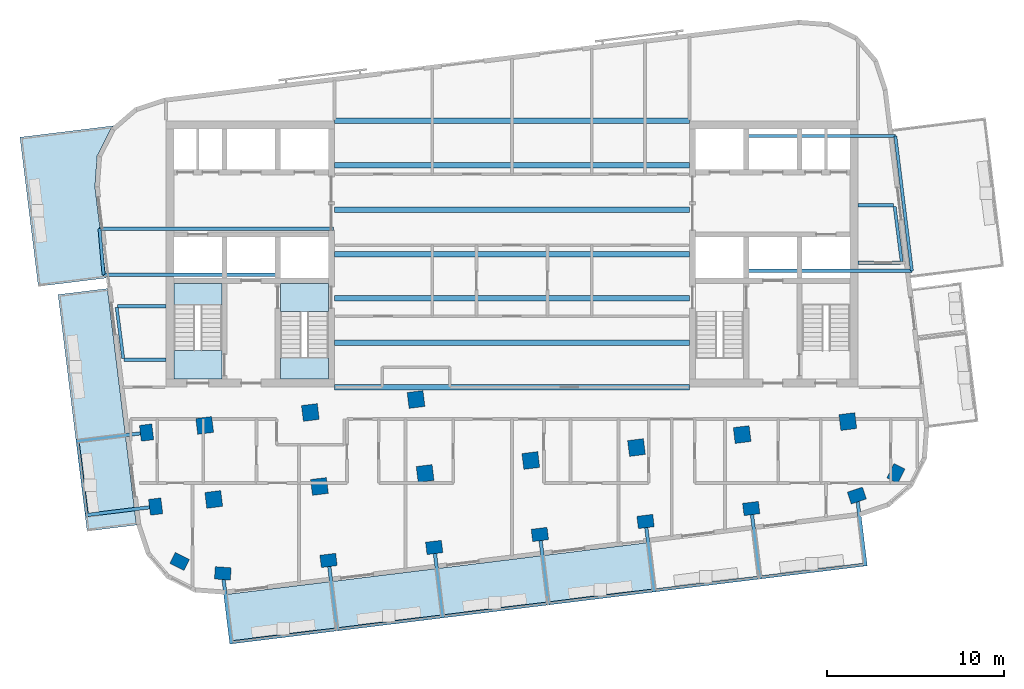
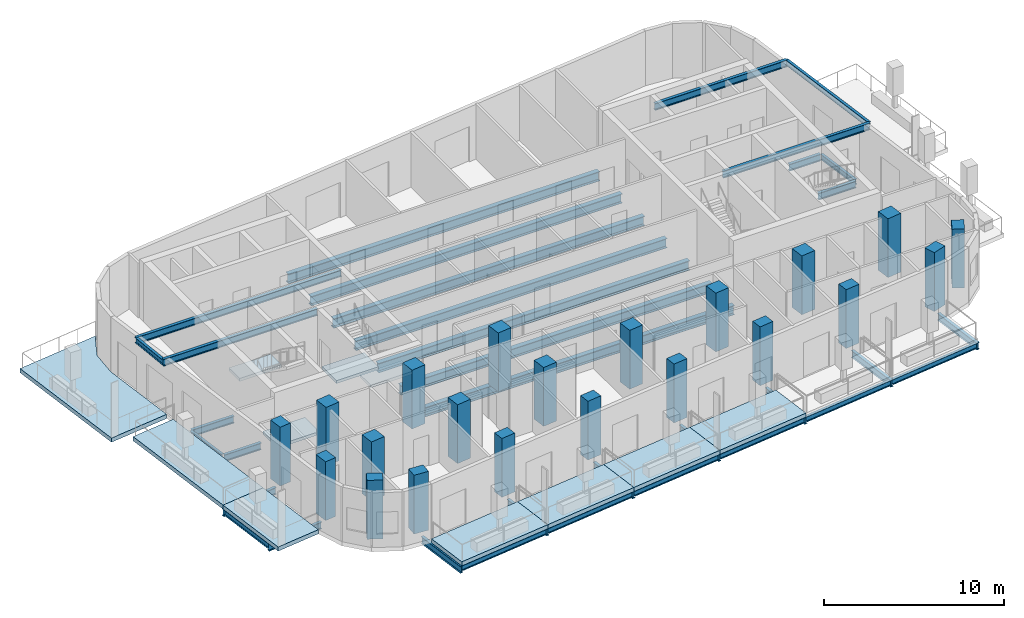
# One storey, part 1 of 11: 35 beams, 21 columns, 11 slabs, 2 elements without a shape of their own.
"""IFC4 building model written with IfcOpenShell, lengths in metres."""

from ifc_helpers import new_model, si_unit, direction, frame, origin, origin_2d, place, context, subcontext, project, spatial, polyline, rectangle, i_section, outline, extrude, material, layer, layer_set, material_profile, profile_set, type_object, element, aggregate, save


model = new_model("IFC4")

# Units and contexts
model_context = context("Model", 3, precision=1e-05, world=origin(), true_north=direction((0.0, 1.0)))
body_context = subcontext(model_context, "Body", "Model", "MODEL_VIEW")
ifc_project = project(units=[si_unit("LENGTHUNIT", "METRE"), si_unit("AREAUNIT", "SQUARE_METRE"), si_unit("VOLUMEUNIT", "CUBIC_METRE"), si_unit("PLANEANGLEUNIT", "RADIAN"), si_unit("MASSUNIT", "GRAM", prefix="KILO")], contexts=[model_context])

# Site, building, storey
site_placement = place(None, origin())
site = spatial("IfcSite", under=ifc_project, at=site_placement, CompositionType="ELEMENT")
building_placement = place(site_placement, origin())
building = spatial("IfcBuilding", under=site, at=building_placement, Name="Torana Hotel and Residences", CompositionType="ELEMENT")
storey_placement = place(building_placement, frame((0.0, 0.0, 330.60009765625)))
storey = spatial("IfcBuildingStorey", under=building, at=storey_placement, Name="L87", CompositionType="ELEMENT", Elevation=330.60009765625)

# Columns
ifc_material_1 = material(Name="Concrete C45/55", Category="concrete")
ifc_material_profile_1 = material_profile(ifc_material_1, rectangle(XDim=0.89990234375, YDim=0.699951171875, at=origin_2d()), Name="RC 900x700")
ifc_profile_set_1 = profile_set([ifc_material_profile_1], Name="Concrete C45/55")
column_type_1 = type_object("IfcColumnType", Name="COLUMN RC 900x700 C45/55", PredefinedType="COLUMN", material=ifc_profile_set_1)
for number, where, z_axis, x_axis, name in (
    (1, (-20.593017578125, -17.56201171875, 0.0), (0.0, 0.0, 1.0), (-0.121869343405, 0.992546151641, 0.0), "Column L87"),
    (2, (-20.0810546875, -21.73095703125, 0.0), (0.0, 0.0, 1.0), (-0.121869343405, 0.992546151641, 0.0), "Column L87"),
    (3, (-18.72802734375, -24.822998046875, 0.0), (0.0, 0.0, 1.0), (-0.892978943411, 0.450098441037, 0.0), "Column L87"),
    (4, (-16.2939453125, -25.4970703125, 0.0), (0.0, 0.0, 1.0), (-0.997251478385, 0.074091084885, 0.0), "Column L87"),
    (5, (-10.337890625, -24.76611328125, 0.0), (0.0, 0.0, 1.0), (0.992546151641, 0.121869343405, 0.0), "Column L87"),
    (6, (-4.383056640625, -24.034912109375, 0.0), (0.0, 0.0, 1.0), (0.992546151641, 0.121869343405, 0.0), "Column L87"),
    (7, (1.572021484375, -23.303955078125, 0.0), (0.0, 0.0, 1.0), (0.992546151641, 0.121869343405, 0.0), "Column L87"),
    (8, (7.527099609375, -22.572998046875, 0.0), (0.0, 0.0, 1.0), (0.992546151641, 0.121869343405, 0.0), "Column L87"),
    (9, (13.48291015625, -21.841064453125, 0.0), (0.0, 0.0, 1.0), (0.992546151641, 0.121869343405, 0.0), "Column L87"),
    (10, (19.43798828125, -21.110107421875, 0.0), (0.0, 0.0, 1.0), (0.949693660318, 0.313180381813, 0.0), "Column L87"),
    (11, (21.635986328125, -19.865966796875, 0.0), (0.0, 0.0, 1.0), (0.450098441037, 0.892978943411, 0.0), "Column L87"),
):
    element("IfcColumn", number, at=place(storey_placement, frame(where, z_axis=z_axis, x_axis=x_axis)), inside=storey, type_object=column_type_1, Name=name, PredefinedType="COLUMN", context=body_context, shape_type="SweptSolid", body=[
        extrude(rectangle(XDim=0.89990234375, YDim=0.699951171875, at=origin_2d()), origin(), (0.0, 0.0, 1.0), 4.0),
    ])
ifc_material_2 = material(Name="Concrete C45/55", Category="concrete")
ifc_material_profile_2 = material_profile(ifc_material_2, rectangle(XDim=0.89990234375, YDim=0.89990234375, at=origin_2d()), Name="RC 900x900")
ifc_profile_set_2 = profile_set([ifc_material_profile_2], Name="Concrete C45/55")
column_type_2 = type_object("IfcColumnType", Name="COLUMN RC 900x900 C45/55", PredefinedType="COLUMN", material=ifc_profile_set_2)
for number, where, z_axis, x_axis, name in (
    (12, (-17.31689453125, -17.159912109375, 0.0), (0.0, 0.0, 1.0), (0.992546151641, 0.121869343405, 0.0), "Column L87"),
    (13, (-16.805908203125, -21.3291015625, 0.0), (0.0, 0.0, 1.0), (0.992546151641, 0.121869343405, 0.0), "Column L87"),
    (14, (-11.362060546875, -16.428955078125, 0.0), (0.0, 0.0, 1.0), (0.992546151641, 0.121869343405, 0.0), "Column L87"),
    (15, (-10.85009765625, -20.597900390625, 0.0), (0.0, 0.0, 1.0), (0.992546151641, 0.121869343405, 0.0), "Column L87"),
    (16, (-5.406982421875, -15.697998046875, 0.0), (0.0, 0.0, 1.0), (0.992546151641, 0.121869343405, 0.0), "Column L87"),
    (17, (-4.89501953125, -19.865966796875, 0.0), (0.0, 0.0, 1.0), (0.992546151641, 0.121869343405, 0.0), "Column L87"),
    (18, (1.06005859375, -19.135009765625, 0.0), (0.0, 0.0, 1.0), (0.992546151641, 0.121869343405, 0.0), "Column L87"),
    (19, (7.01611328125, -18.404052734375, 0.0), (0.0, 0.0, 1.0), (0.992546151641, 0.121869343405, 0.0), "Column L87"),
    (20, (12.970947265625, -17.673095703125, 0.0), (0.0, 0.0, 1.0), (0.992546151641, 0.121869343405, 0.0), "Column L87"),
    (21, (18.926025390625, -16.94189453125, 0.0), (0.0, 0.0, 1.0), (0.992546151641, 0.121869343405, 0.0), "Column L87"),
):
    element("IfcColumn", number, at=place(storey_placement, frame(where, z_axis=z_axis, x_axis=x_axis)), inside=storey, type_object=column_type_2, Name=name, PredefinedType="COLUMN", context=body_context, shape_type="SweptSolid", body=[
        extrude(rectangle(XDim=0.89990234375, YDim=0.89990234375, at=origin_2d()), origin(), (0.0, 0.0, 1.0), 4.0),
    ])

# Beams
ifc_material_3 = material(Name="Steel S355", Category="steel")
ifc_material_profile_3 = material_profile(ifc_material_3, i_section(OverallWidth=0.19287109375, OverallDepth=0.46728515625, WebThickness=0.011474609375, FlangeThickness=0.01953125, FilletRadius=0.01025390625, at=origin_2d()), Name="457x191x98 UB")
ifc_profile_set_3 = profile_set([ifc_material_profile_3], Name="Steel S355")
beam_type_1 = type_object("IfcBeamType", Name="BALCONY CANTILEVER BEAM 457x191x98 UB", PredefinedType="BEAM", material=ifc_profile_set_3)
beam_1_placement = place(storey_placement, frame((-16.251708984375, -25.84130859375, -0.513671875), z_axis=(0.12194557952, -0.992536788051, 0.0), x_axis=(0.992536788051, 0.12194557952, 0.0)))
element("IfcBeam", 22, at=beam_1_placement, inside=storey, type_object=beam_type_1, Name="Balcony cantilever beam", PredefinedType="BEAM", context=body_context, shape_type="SweptSolid", body=[
    extrude(i_section(OverallWidth=0.19287109375, OverallDepth=0.46728515625, WebThickness=0.011474609375, FlangeThickness=0.01953125, FilletRadius=0.01025390625, at=origin_2d()), origin(), (0.0, 0.0, 1.0), 3.65380859375),
])
beam_2_placement = place(storey_placement, frame((-10.296630859375, -25.103515625, -0.513671875), z_axis=(0.121727603609, -0.992563544827, 0.0), x_axis=(0.992563544827, 0.121727603609, 0.0)))
element("IfcBeam", 23, at=beam_2_placement, inside=storey, type_object=beam_type_1, Name="Balcony cantilever beam", PredefinedType="BEAM", context=body_context, shape_type="SweptSolid", body=[
    extrude(i_section(OverallWidth=0.19287109375, OverallDepth=0.46728515625, WebThickness=0.011474609375, FlangeThickness=0.01953125, FilletRadius=0.01025390625, at=origin_2d()), origin(), (0.0, 0.0, 1.0), 3.66015625),
])
beam_3_placement = place(storey_placement, frame((-4.341552734375, -24.37255859375, -0.513671875), z_axis=(0.121809442808, -0.992553504675, 0.0), x_axis=(0.992553504675, 0.121809442808, 0.0)))
element("IfcBeam", 24, at=beam_3_placement, inside=storey, type_object=beam_type_1, Name="Balcony cantilever beam", PredefinedType="BEAM", context=body_context, shape_type="SweptSolid", body=[
    extrude(i_section(OverallWidth=0.19287109375, OverallDepth=0.46728515625, WebThickness=0.011474609375, FlangeThickness=0.01953125, FilletRadius=0.01025390625, at=origin_2d()), origin(), (0.0, 0.0, 1.0), 3.659912109375),
])
for number, where, z_axis, x_axis, name in (
    (25, (1.61328125, -23.6416015625, -0.513671875), (0.121948950891, -0.99253637383, 0.0), (0.99253637383, 0.121948950891, 0.0), "Balcony cantilever beam"),
    (26, (7.568359375, -22.910400390625, -0.513671875), (0.122014669663, -0.992528297021, 0.0), (0.992528297021, 0.122014669663, 0.0), "Balcony cantilever beam"),
):
    element("IfcBeam", number, at=place(storey_placement, frame(where, z_axis=z_axis, x_axis=x_axis)), inside=storey, type_object=beam_type_1, Name=name, PredefinedType="BEAM", context=body_context, shape_type="SweptSolid", body=[
        extrude(i_section(OverallWidth=0.19287109375, OverallDepth=0.46728515625, WebThickness=0.011474609375, FlangeThickness=0.01953125, FilletRadius=0.01025390625, at=origin_2d()), origin(), (0.0, 0.0, 1.0), 3.65966796875),
    ])
beam_4_placement = place(storey_placement, frame((13.5244140625, -22.178466796875, -0.513671875), z_axis=(0.12179331453, -0.992555483858, 0.0), x_axis=(0.992555483858, 0.12179331453, 0.0)))
element("IfcBeam", 27, at=beam_4_placement, inside=storey, type_object=beam_type_1, Name="Balcony cantilever beam", PredefinedType="BEAM", context=body_context, shape_type="SweptSolid", body=[
    extrude(i_section(OverallWidth=0.19287109375, OverallDepth=0.46728515625, WebThickness=0.011474609375, FlangeThickness=0.01953125, FilletRadius=0.01025390625, at=origin_2d()), origin(), (0.0, 0.0, 1.0), 3.660400390625),
])
beam_5_placement = place(storey_placement, frame((19.480224609375, -21.454345703125, -0.513671875), z_axis=(0.12183008487, -0.992550971195, 0.0), x_axis=(0.992550971195, 0.12183008487, 0.0)))
element("IfcBeam", 28, at=beam_5_placement, inside=storey, type_object=beam_type_1, Name="Balcony cantilever beam", PredefinedType="BEAM", context=body_context, shape_type="SweptSolid", body=[
    extrude(i_section(OverallWidth=0.19287109375, OverallDepth=0.46728515625, WebThickness=0.011474609375, FlangeThickness=0.01953125, FilletRadius=0.01025390625, at=origin_2d()), origin(), (0.0, 0.0, 1.0), 3.653076171875),
])
for number, where, z_axis, x_axis, name in (
    (29, (-20.930419921875, -17.603515625, -0.513671875), (-0.992537365838, -0.121940876722, 0.0), (0.121940876722, -0.992537365838, 0.0), "Balcony cantilever beam"),
    (30, (-20.41845703125, -21.7724609375, -0.513671875), (-0.992545437366, -0.121875160566, 0.0), (0.121875160566, -0.992545437366, 0.0), "Balcony cantilever beam"),
):
    element("IfcBeam", number, at=place(storey_placement, frame(where, z_axis=z_axis, x_axis=x_axis)), inside=storey, type_object=beam_type_1, Name=name, PredefinedType="BEAM", context=body_context, shape_type="SweptSolid", body=[
        extrude(i_section(OverallWidth=0.19287109375, OverallDepth=0.46728515625, WebThickness=0.011474609375, FlangeThickness=0.01953125, FilletRadius=0.01025390625, at=origin_2d()), origin(), (0.0, 0.0, 1.0), 3.659912109375),
    ])
beam_6_placement = place(storey_placement, frame((-19.489990234375, -13.449951171875, -0.513671875), z_axis=(-1.0, 0.0, 0.0), x_axis=(0.0, -1.0, 0.0)))
element("IfcBeam", 31, at=beam_6_placement, inside=storey, type_object=beam_type_1, Name="Balcony cantilever beam", PredefinedType="BEAM", context=body_context, shape_type="SweptSolid", body=[
    extrude(i_section(OverallWidth=0.19287109375, OverallDepth=0.46728515625, WebThickness=0.011474609375, FlangeThickness=0.01953125, FilletRadius=0.01025390625, at=origin_2d()), origin(), (0.0, 0.0, 1.0), 2.360107421875),
])
beam_7_placement = place(storey_placement, frame((-19.489990234375, -10.449951171875, -0.513671875), z_axis=(-1.0, 0.0, 0.0), x_axis=(0.0, -1.0, 0.0)))
element("IfcBeam", 32, at=beam_7_placement, inside=storey, type_object=beam_type_1, Name="Balcony cantilever beam", PredefinedType="BEAM", context=body_context, shape_type="SweptSolid", body=[
    extrude(i_section(OverallWidth=0.19287109375, OverallDepth=0.46728515625, WebThickness=0.011474609375, FlangeThickness=0.01953125, FilletRadius=0.01025390625, at=origin_2d()), origin(), (0.0, 0.0, 1.0), 2.728515625),
])
beam_8_placement = place(storey_placement, frame((19.489990234375, -8.0, -0.513671875), z_axis=(1.0, 0.0, 0.0), x_axis=(0.0, 1.0, 0.0)))
element("IfcBeam", 33, at=beam_8_placement, inside=storey, type_object=beam_type_1, Name="Balcony cantilever beam", PredefinedType="BEAM", context=body_context, shape_type="SweptSolid", body=[
    extrude(i_section(OverallWidth=0.19287109375, OverallDepth=0.46728515625, WebThickness=0.011474609375, FlangeThickness=0.01953125, FilletRadius=0.01025390625, at=origin_2d()), origin(), (0.0, 0.0, 1.0), 2.41552734375),
])
beam_9_placement = place(storey_placement, frame((19.489990234375, -4.75, -0.513671875), z_axis=(1.0, 0.0, 0.0), x_axis=(0.0, 1.0, 0.0)))
element("IfcBeam", 34, at=beam_9_placement, inside=storey, type_object=beam_type_1, Name="Balcony cantilever beam", PredefinedType="BEAM", context=body_context, shape_type="SweptSolid", body=[
    extrude(i_section(OverallWidth=0.19287109375, OverallDepth=0.46728515625, WebThickness=0.011474609375, FlangeThickness=0.01953125, FilletRadius=0.01025390625, at=origin_2d()), origin(), (0.0, 0.0, 1.0), 2.016357421875),
])
beam_10_placement = place(storey_placement, frame((-23.013916015625, -8.669921875, 3.486328125), z_axis=(1.0, 0.0, 0.0), x_axis=(0.0, 1.0, 0.0)))
element("IfcBeam", 35, at=beam_10_placement, inside=storey, type_object=beam_type_1, Name="Balcony cantilever beam", PredefinedType="BEAM", context=body_context, shape_type="SweptSolid", body=[
    extrude(i_section(OverallWidth=0.19287109375, OverallDepth=0.46728515625, WebThickness=0.011474609375, FlangeThickness=0.01953125, FilletRadius=0.01025390625, at=origin_2d()), origin(), (0.0, 0.0, 1.0), 9.913818359375),
])
beam_11_placement = place(storey_placement, frame((-23.2451171875, -6.070068359375, 3.486328125), z_axis=(1.0, 0.0, 0.0), x_axis=(0.0, 1.0, 0.0)))
element("IfcBeam", 36, at=beam_11_placement, inside=storey, type_object=beam_type_1, Name="Balcony cantilever beam", PredefinedType="BEAM", context=body_context, shape_type="SweptSolid", body=[
    extrude(i_section(OverallWidth=0.19287109375, OverallDepth=0.46728515625, WebThickness=0.011474609375, FlangeThickness=0.01953125, FilletRadius=0.01025390625, at=origin_2d()), origin(), (0.0, 0.0, 1.0), 13.195068359375),
])
beam_12_placement = place(storey_placement, frame((22.537353515625, -8.449951171875, 3.486328125), z_axis=(-1.0, 0.0, 0.0), x_axis=(0.0, -1.0, 0.0)))
element("IfcBeam", 37, at=beam_12_placement, inside=storey, type_object=beam_type_1, Name="Balcony cantilever beam", PredefinedType="BEAM", context=body_context, shape_type="SweptSolid", body=[
    extrude(i_section(OverallWidth=0.19287109375, OverallDepth=0.46728515625, WebThickness=0.011474609375, FlangeThickness=0.01953125, FilletRadius=0.01025390625, at=origin_2d()), origin(), (0.0, 0.0, 1.0), 9.437255859375),
])
beam_13_placement = place(storey_placement, frame((21.60400390625, -0.85009765625, 3.486328125), z_axis=(-1.0, 0.0, 0.0), x_axis=(0.0, -1.0, 0.0)))
element("IfcBeam", 38, at=beam_13_placement, inside=storey, type_object=beam_type_1, Name="Balcony cantilever beam", PredefinedType="BEAM", context=body_context, shape_type="SweptSolid", body=[
    extrude(i_section(OverallWidth=0.19287109375, OverallDepth=0.46728515625, WebThickness=0.011474609375, FlangeThickness=0.01953125, FilletRadius=0.01025390625, at=origin_2d()), origin(), (0.0, 0.0, 1.0), 8.50390625),
])
ifc_material_4 = material(Name="Steel S355", Category="steel")
ifc_material_profile_4 = material_profile(ifc_material_4, i_section(OverallWidth=0.173095703125, OverallDepth=0.36328125, WebThickness=0.009033203125, FlangeThickness=0.015625, FilletRadius=0.01025390625, at=origin_2d()), Name="356x171x67 UB")
ifc_profile_set_4 = profile_set([ifc_material_profile_4], Name="Steel S355")
beam_type_2 = type_object("IfcBeamType", Name="BALCONY TIP BEAM 356x171x67 UB", PredefinedType="BEAM", material=ifc_profile_set_4)
for number, where, z_axis, x_axis, name in (
    (39, (-9.927490234375, -28.65869140625, -0.4619140625), (-0.992545044936, -0.121878356459, 0.0), (0.121878356459, -0.992545044936, 0.0), "Balcony tip beam"),
    (40, (-3.97216796875, -27.92724609375, -0.4619140625), (-0.992540010453, -0.121919348955, 0.0), (0.121919348955, -0.992540010453, 0.0), "Balcony tip beam"),
    (41, (1.983154296875, -27.196044921875, -0.4619140625), (-0.992545044936, -0.121878356459, 0.0), (0.121878356459, -0.992545044936, 0.0), "Balcony tip beam"),
    (42, (7.9384765625, -26.46484375, -0.4619140625), (-0.992545044936, -0.121878356459, 0.0), (0.121878356459, -0.992545044936, 0.0), "Balcony tip beam"),
):
    element("IfcBeam", number, at=place(storey_placement, frame(where, z_axis=z_axis, x_axis=x_axis)), inside=storey, type_object=beam_type_2, Name=name, PredefinedType="BEAM", context=body_context, shape_type="SweptSolid", body=[
        extrude(i_section(OverallWidth=0.173095703125, OverallDepth=0.36328125, WebThickness=0.009033203125, FlangeThickness=0.015625, FilletRadius=0.01025390625, at=origin_2d()), origin(), (0.0, 0.0, 1.0), 5.8671875),
    ])
beam_14_placement = place(storey_placement, frame((13.8935546875, -25.733642578125, -0.4619140625), z_axis=(-0.992544426795, -0.121883390327, 0.0), x_axis=(0.121883390327, -0.992544426795, 0.0)))
element("IfcBeam", 43, at=beam_14_placement, inside=storey, type_object=beam_type_2, Name="Balcony tip beam", PredefinedType="BEAM", context=body_context, shape_type="SweptSolid", body=[
    extrude(i_section(OverallWidth=0.173095703125, OverallDepth=0.36328125, WebThickness=0.009033203125, FlangeThickness=0.015625, FilletRadius=0.01025390625, at=origin_2d()), origin(), (0.0, 0.0, 1.0), 5.866943359375),
])
beam_15_placement = place(storey_placement, frame((19.848876953125, -25.00244140625, -0.4619140625), z_axis=(-0.992545044936, -0.121878356459, 0.0), x_axis=(0.121878356459, -0.992545044936, 0.0)))
element("IfcBeam", 44, at=beam_15_placement, inside=storey, type_object=beam_type_2, Name="Balcony tip beam", PredefinedType="BEAM", context=body_context, shape_type="SweptSolid", body=[
    extrude(i_section(OverallWidth=0.173095703125, OverallDepth=0.36328125, WebThickness=0.009033203125, FlangeThickness=0.015625, FilletRadius=0.01025390625, at=origin_2d()), origin(), (0.0, 0.0, 1.0), 5.8671875),
])
beam_16_placement = place(storey_placement, frame((-23.97314453125, -22.14208984375, -0.4619140625), z_axis=(-0.121906862374, 0.992541544171, 0.0), x_axis=(-0.992541544171, -0.121906862374, 0.0)))
element("IfcBeam", 45, at=beam_16_placement, inside=storey, type_object=beam_type_2, Name="Balcony tip beam", PredefinedType="BEAM", context=body_context, shape_type="SweptSolid", body=[
    extrude(i_section(OverallWidth=0.173095703125, OverallDepth=0.36328125, WebThickness=0.009033203125, FlangeThickness=0.015625, FilletRadius=0.01025390625, at=origin_2d()), origin(), (0.0, 0.0, 1.0), 4.0673828125),
])
beam_17_placement = place(storey_placement, frame((-21.90673828125, -13.383544921875, -0.4619140625), z_axis=(-0.127443407553, 0.991845843804, 0.0), x_axis=(-0.991845843804, -0.127443407553, 0.0)))
element("IfcBeam", 46, at=beam_17_placement, inside=storey, type_object=beam_type_2, Name="Balcony tip beam", PredefinedType="BEAM", context=body_context, shape_type="SweptSolid", body=[
    extrude(i_section(OverallWidth=0.173095703125, OverallDepth=0.36328125, WebThickness=0.009033203125, FlangeThickness=0.015625, FilletRadius=0.01025390625, at=origin_2d()), origin(), (0.0, 0.0, 1.0), 2.890869140625),
])
beam_18_placement = place(storey_placement, frame((21.9619140625, -7.93359375, -0.4619140625), z_axis=(-0.126940899221, 0.991910282286, 0.0), x_axis=(-0.991910282286, -0.126940899221, 0.0)))
element("IfcBeam", 47, at=beam_18_placement, inside=storey, type_object=beam_type_2, Name="Balcony tip beam", PredefinedType="BEAM", context=body_context, shape_type="SweptSolid", body=[
    extrude(i_section(OverallWidth=0.173095703125, OverallDepth=0.36328125, WebThickness=0.009033203125, FlangeThickness=0.015625, FilletRadius=0.01025390625, at=origin_2d()), origin(), (0.0, 0.0, 1.0), 3.142578125),
])
beam_19_placement = place(storey_placement, frame((-23.013916015625, -8.669921875, 3.5380859375), z_axis=(-0.088578973765, 0.99606915694, 0.0), x_axis=(-0.99606915694, -0.088578973765, 0.0)))
element("IfcBeam", 48, at=beam_19_placement, inside=storey, type_object=beam_type_2, Name="Balcony tip beam", PredefinedType="BEAM", context=body_context, shape_type="SweptSolid", body=[
    extrude(i_section(OverallWidth=0.173095703125, OverallDepth=0.36328125, WebThickness=0.009033203125, FlangeThickness=0.015625, FilletRadius=0.01025390625, at=origin_2d()), origin(), (0.0, 0.0, 1.0), 2.610107421875),
])
beam_20_placement = place(storey_placement, frame((22.537353515625, -8.449951171875, 3.5380859375), z_axis=(-0.1218957101, 0.992542913863, 0.0), x_axis=(-0.992542913863, -0.1218957101, 0.0)))
element("IfcBeam", 49, at=beam_20_placement, inside=storey, type_object=beam_type_2, Name="Balcony tip beam", PredefinedType="BEAM", context=body_context, shape_type="SweptSolid", body=[
    extrude(i_section(OverallWidth=0.173095703125, OverallDepth=0.36328125, WebThickness=0.009033203125, FlangeThickness=0.015625, FilletRadius=0.01025390625, at=origin_2d()), origin(), (0.0, 0.0, 1.0), 7.656982421875),
])
ifc_material_5 = material(Name="Steel S355", Category="steel")
ifc_material_profile_5 = material_profile(ifc_material_5, i_section(OverallWidth=0.311279296875, OverallDepth=0.6357421875, WebThickness=0.018310546875, FlangeThickness=0.031494140625, FilletRadius=0.0166015625, at=origin_2d()), Name="610x305x238 UB")
ifc_profile_set_5 = profile_set([ifc_material_profile_5], Name="Steel S355")
beam_type_3 = type_object("IfcBeamType", Name="STEEL GIRDER 610x305x238 UB", PredefinedType="BEAM", material=ifc_profile_set_5)
for number, where, z_axis, x_axis, name in (
    (50, (-10.0, -15.0, -0.597900390625), (1.0, 0.0, 0.0), (0.0, 1.0, 0.0), "Floor girder"),
    (51, (-10.0, -12.5, -0.597900390625), (1.0, 0.0, 0.0), (0.0, 1.0, 0.0), "Floor girder"),
    (52, (-10.0, -10.0, -0.597900390625), (1.0, 0.0, 0.0), (0.0, 1.0, 0.0), "Floor girder"),
    (53, (-10.0, -7.5, -0.597900390625), (1.0, 0.0, 0.0), (0.0, 1.0, 0.0), "Floor girder"),
    (54, (-10.0, -5.0, -0.597900390625), (1.0, 0.0, 0.0), (0.0, 1.0, 0.0), "Floor girder"),
    (55, (-10.0, -2.5, -0.597900390625), (1.0, 0.0, 0.0), (0.0, 1.0, 0.0), "Floor girder"),
    (56, (-10.0, 0.0, -0.597900390625), (1.0, 0.0, 0.0), (0.0, 1.0, 0.0), "Floor girder"),
):
    element("IfcBeam", number, at=place(storey_placement, frame(where, z_axis=z_axis, x_axis=x_axis)), inside=storey, type_object=beam_type_3, Name=name, PredefinedType="BEAM", context=body_context, shape_type="SweptSolid", body=[
        extrude(i_section(OverallWidth=0.311279296875, OverallDepth=0.6357421875, WebThickness=0.018310546875, FlangeThickness=0.031494140625, FilletRadius=0.0166015625, at=origin_2d()), origin(), (0.0, 0.0, 1.0), 20.0),
    ])

# Slabs
ifc_material_6 = material(Name="Concrete C40/50", Category="concrete")
ifc_layer_1 = layer(ifc_material_6, 0.280029296875)
ifc_layer_set_1 = layer_set([ifc_layer_1], Name="BAL1 BALCONY SLAB 280")
slab_type_1 = type_object("IfcSlabType", Name="BAL1 BALCONY SLAB 280", PredefinedType="USERDEFINED", material=ifc_layer_set_1)
slab_1_placement = place(storey_placement, frame((0.0, 0.0, -0.280029296875)))
element("IfcSlab", 57, at=slab_1_placement, inside=storey, type_object=slab_type_1, Name="Balcony 01", ObjectType="BALCONY", PredefinedType="USERDEFINED", context=body_context, shape_type="SweptSolid", body=[
    extrude(outline(polyline([(-15.80615234375, -29.4677734375), (-9.85107421875, -28.736572265625), (-10.192138671875, -25.957275390625), (-16.1474609375, -26.6884765625), (-15.80615234375, -29.4677734375)])), origin(), (0.0, 0.0, 1.0), 0.280029296875),
])
slab_2_placement = place(storey_placement, frame((0.0, 0.0, -0.280029296875)))
element("IfcSlab", 58, at=slab_2_placement, inside=storey, type_object=slab_type_1, Name="Balcony 02", ObjectType="BALCONY", PredefinedType="USERDEFINED", context=body_context, shape_type="SweptSolid", body=[
    extrude(outline(polyline([(-9.85107421875, -28.736572265625), (-3.895751953125, -28.005126953125), (-4.23681640625, -25.22607421875), (-10.192138671875, -25.957275390625), (-9.85107421875, -28.736572265625)])), origin(), (0.0, 0.0, 1.0), 0.280029296875),
])
slab_3_placement = place(storey_placement, frame((0.0, 0.0, -0.280029296875)))
element("IfcSlab", 59, at=slab_3_placement, inside=storey, type_object=slab_type_1, Name="Balcony 03", ObjectType="BALCONY", PredefinedType="USERDEFINED", context=body_context, shape_type="SweptSolid", body=[
    extrude(outline(polyline([(-3.895751953125, -28.005126953125), (2.0595703125, -27.27392578125), (1.718505859375, -24.494873046875), (-4.23681640625, -25.22607421875), (-3.895751953125, -28.005126953125)])), origin(), (0.0, 0.0, 1.0), 0.280029296875),
])
slab_4_placement = place(storey_placement, frame((0.0, 0.0, -0.280029296875)))
element("IfcSlab", 60, at=slab_4_placement, inside=storey, type_object=slab_type_1, Name="Balcony 04", ObjectType="BALCONY", PredefinedType="USERDEFINED", context=body_context, shape_type="SweptSolid", body=[
    extrude(outline(polyline([(2.0595703125, -27.27392578125), (8.014892578125, -26.542724609375), (7.673583984375, -23.763671875), (1.718505859375, -24.494873046875), (2.0595703125, -27.27392578125)])), origin(), (0.0, 0.0, 1.0), 0.280029296875),
])
slab_5_placement = place(storey_placement, frame((0.0, 0.0, -0.280029296875)))
element("IfcSlab", 61, at=slab_5_placement, inside=storey, type_object=slab_type_1, Name="Balcony 07", ObjectType="BALCONY", PredefinedType="USERDEFINED", context=body_context, shape_type="SweptSolid", body=[
    extrude(outline(polyline([(-23.94140625, -23.11181640625), (-21.162353515625, -22.7705078125), (-21.783935546875, -17.70849609375), (-24.56298828125, -18.0498046875), (-23.94140625, -23.11181640625)])), origin(), (0.0, 0.0, 1.0), 0.280029296875),
])
slab_6_placement = place(storey_placement, frame((0.0, 0.0, -0.280029296875)))
element("IfcSlab", 62, at=slab_6_placement, inside=storey, type_object=slab_type_1, Name="Balcony 08", ObjectType="BALCONY", PredefinedType="USERDEFINED", context=body_context, shape_type="SweptSolid", body=[
    extrude(outline(polyline([(-24.56298828125, -18.0498046875), (-21.783935546875, -17.70849609375), (-22.79833984375, -9.445556640625), (-25.57763671875, -9.786865234375), (-24.56298828125, -18.0498046875)])), origin(), (0.0, 0.0, 1.0), 0.280029296875),
])
slab_7_placement = place(storey_placement, frame((0.0, 0.0, -0.280029296875)))
element("IfcSlab", 63, at=slab_7_placement, inside=storey, type_object=slab_type_1, Name="Balcony 09", ObjectType="BALCONY", PredefinedType="USERDEFINED", context=body_context, shape_type="SweptSolid", body=[
    extrude(outline(polyline([(-26.69287109375, -9.319091796875), (-22.87158203125, -8.85009765625), (-23.502197265625, -3.713623046875), (-23.3720703125, -1.962646484375), (-22.581787109375, -0.394775390625), (-22.43701171875, -0.27001953125), (-27.724365234375, -0.919189453125), (-26.69287109375, -9.319091796875)])), origin(), (0.0, 0.0, 1.0), 0.280029296875),
])

# Stair, slabs
ifc_material_7 = material(Name="Concrete C40/50 precast", Category="concrete")
stair_type_1 = type_object("IfcStairType", Name="STAIR ST1 HALF TURN 1200", PredefinedType="HALF_TURN_STAIR", material=ifc_material_7)
stair_1_placement = place(storey_placement, origin())
stair_1 = element("IfcStair", 64, at=stair_1_placement, inside=storey, type_object=stair_type_1, Name="Stair ST1 L87", PredefinedType="HALF_TURN_STAIR")
ifc_material_8 = material(Name="Concrete C40/50 precast", Category="concrete")
ifc_layer_2 = layer(ifc_material_8, 0.199951171875)
ifc_layer_set_2 = layer_set([ifc_layer_2], Name="STAIR LANDING 200")
slab_type_2 = type_object("IfcSlabType", Name="STAIR LANDING 200", PredefinedType="LANDING", material=ifc_layer_set_2)
slab_8_placement = place(storey_placement, frame((0.0, 0.0, 1.7998046875)))
slab_8 = element("IfcSlab", 65, at=slab_8_placement, type_object=slab_type_2, Name="ST1 landing 1", PredefinedType="LANDING", context=body_context, shape_type="SweptSolid", body=[
    extrude(outline(polyline([(-13.050048828125, -14.550048828125), (-10.35009765625, -14.550048828125), (-10.35009765625, -13.35009765625), (-13.050048828125, -13.35009765625), (-13.050048828125, -14.550048828125)])), origin(), (0.0, 0.0, 1.0), 0.2001953125),
])
slab_9_placement = place(storey_placement, frame((0.0, 0.0, -0.2001953125)))
slab_9 = element("IfcSlab", 66, at=slab_9_placement, type_object=slab_type_2, Name="ST1 landing 2", PredefinedType="LANDING", context=body_context, shape_type="SweptSolid", body=[
    extrude(outline(polyline([(-13.050048828125, -10.75), (-10.35009765625, -10.75), (-10.35009765625, -9.14990234375), (-13.050048828125, -9.14990234375), (-13.050048828125, -10.75)])), origin(), (0.0, 0.0, 1.0), 0.2001953125),
])
aggregate(stair_1, [slab_8, slab_9])

ifc_material_9 = material(Name="Concrete C40/50 precast", Category="concrete")
stair_type_2 = type_object("IfcStairType", Name="STAIR ST2 HALF TURN 1200", PredefinedType="HALF_TURN_STAIR", material=ifc_material_9)
stair_2_placement = place(storey_placement, origin())
stair_2 = element("IfcStair", 67, at=stair_2_placement, inside=storey, type_object=stair_type_2, Name="Stair ST2 L87", PredefinedType="HALF_TURN_STAIR")
slab_10_placement = place(storey_placement, frame((0.0, 0.0, 1.7998046875)))
slab_10 = element("IfcSlab", 68, at=slab_10_placement, type_object=slab_type_2, Name="ST2 landing 1", PredefinedType="LANDING", context=body_context, shape_type="SweptSolid", body=[
    extrude(outline(polyline([(-19.050048828125, -10.35009765625), (-16.35009765625, -10.35009765625), (-16.35009765625, -9.14990234375), (-19.050048828125, -9.14990234375), (-19.050048828125, -10.35009765625)])), origin(), (0.0, 0.0, 1.0), 0.2001953125),
])
slab_11_placement = place(storey_placement, frame((0.0, 0.0, -0.2001953125)))
slab_11 = element("IfcSlab", 69, at=slab_11_placement, type_object=slab_type_2, Name="ST2 landing 2", PredefinedType="LANDING", context=body_context, shape_type="SweptSolid", body=[
    extrude(outline(polyline([(-19.050048828125, -14.550048828125), (-16.35009765625, -14.550048828125), (-16.35009765625, -12.949951171875), (-19.050048828125, -12.949951171875), (-19.050048828125, -14.550048828125)])), origin(), (0.0, 0.0, 1.0), 0.2001953125),
])
aggregate(stair_2, [slab_10, slab_11])

save(model, "model.ifc")
